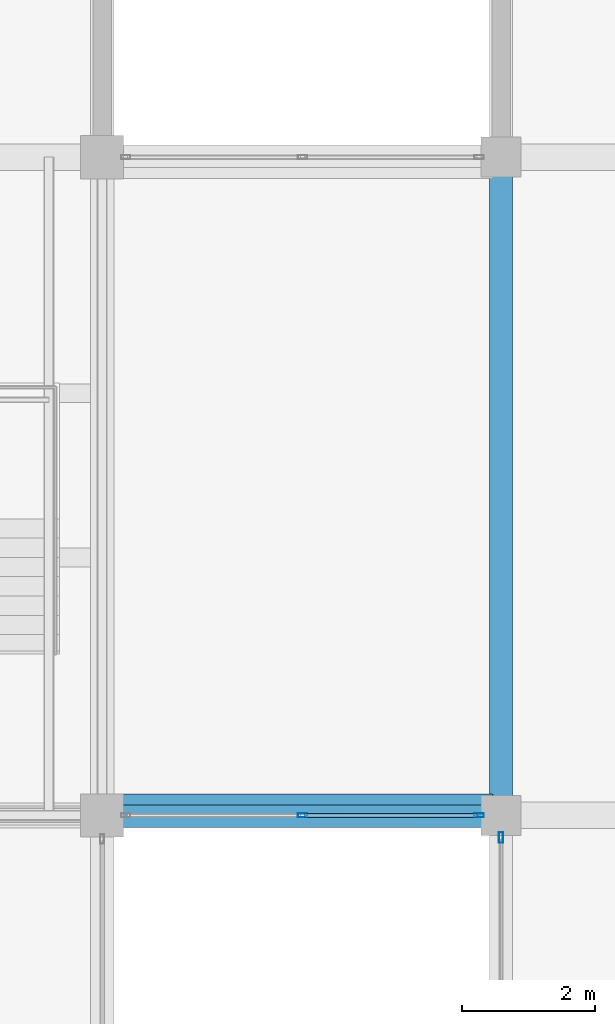
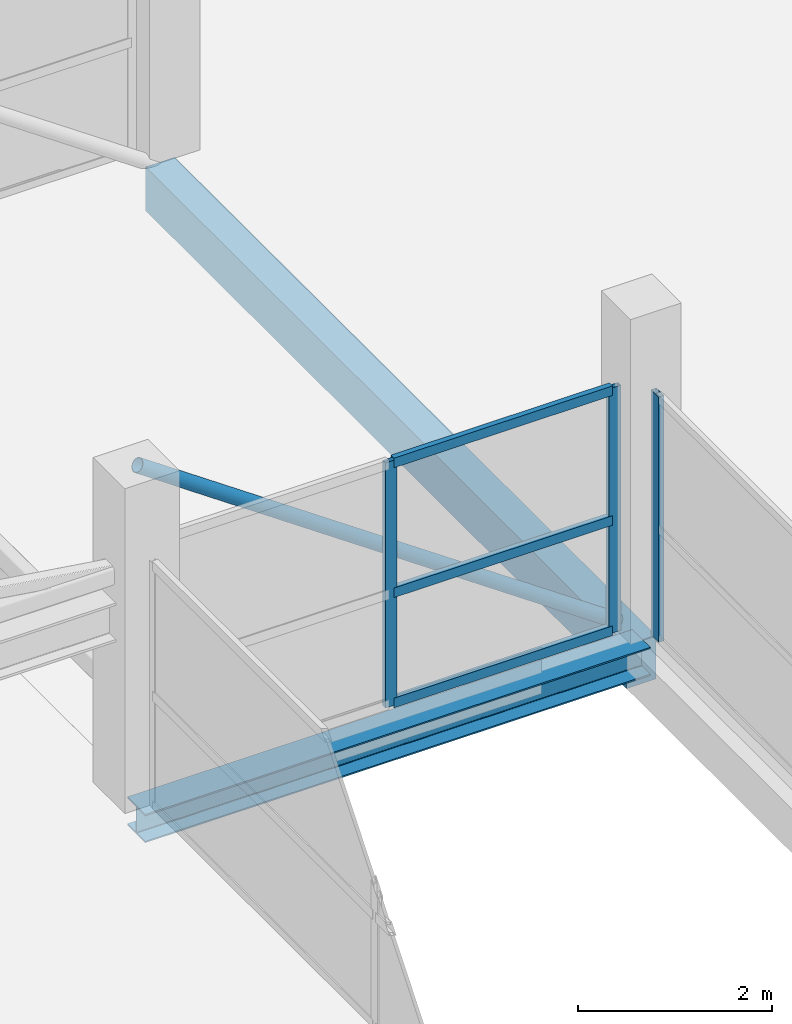
# One storey, part 40 of 70: 7 members, 2 beams, 2 elements without a shape of their own.
"""IFC4 building model written with IfcOpenShell, lengths in metres."""

from ifc_helpers import new_model, si_unit, direction, frame, origin, origin_2d, place, context, subcontext, project, spatial, rectangle, hollow_rectangle, hollow_circle, i_section, extrude, material, layer, layer_set, material_profile, profile_set, type_object, element, aggregate, save


model = new_model("IFC4")

# Units and contexts
model_context = context("Model", 3, precision=1e-05, world=origin(), true_north=direction((0.0, 1.0)))
body_context = subcontext(model_context, "Body", "Model", "MODEL_VIEW")
ifc_project = project(units=[si_unit("LENGTHUNIT", "METRE"), si_unit("AREAUNIT", "SQUARE_METRE"), si_unit("VOLUMEUNIT", "CUBIC_METRE"), si_unit("PLANEANGLEUNIT", "RADIAN"), si_unit("MASSUNIT", "GRAM", prefix="KILO")], contexts=[model_context])

# Site, building, storey
site_placement = place(None, origin())
site = spatial("IfcSite", under=ifc_project, at=site_placement, CompositionType="ELEMENT")
building_placement = place(site_placement, origin())
building = spatial("IfcBuilding", under=site, at=building_placement, Name="Sillaruma Civic Art Gallery", CompositionType="ELEMENT")
storey_placement = place(building_placement, frame((0.0, 0.0, 66.300048828125)))
storey = spatial("IfcBuildingStorey", under=building, at=storey_placement, Name="L13", CompositionType="ELEMENT", Elevation=66.300048828125)

# Beams
ifc_material_1 = material(Name="Structural Steel ASTM A992 Gr.50", Category="steel")
ifc_material_profile_1 = material_profile(ifc_material_1, i_section(OverallWidth=0.368896484375, OverallDepth=0.35595703125, WebThickness=0.01123046875, FlangeThickness=0.01806640625, FilletRadius=0.014892578125, at=origin_2d()), Name="W360x134")
ifc_profile_set_1 = profile_set([ifc_material_profile_1], Name="Structural Steel ASTM A992 Gr.50")
beam_type_1 = type_object("IfcBeamType", Name="BM-BRIDGE-W360x134", PredefinedType="SPANDREL", material=ifc_profile_set_1)
beam_1_placement = place(storey_placement, frame((92.0, 69.300048828125, -0.387939453125), z_axis=(1.0, 0.0, 0.0), x_axis=(0.0, 1.0, 0.0)))
element("IfcBeam", 1, at=beam_1_placement, inside=storey, type_object=beam_type_1, Name="Sky-Bridge Steel Edge Girder (BRG-N:L13:S)", PredefinedType="SPANDREL", context=body_context, shape_type="SweptSolid", body=[
    extrude(i_section(OverallWidth=0.368896484375, OverallDepth=0.35595703125, WebThickness=0.01123046875, FlangeThickness=0.01806640625, FilletRadius=0.014892578125, at=origin_2d()), origin(), (0.0, 0.0, 1.0), 6.0),
])
ifc_material_2 = material(Name="Concrete H35 (35 MPa)", Category="concrete")
ifc_material_profile_2 = material_profile(ifc_material_2, rectangle(XDim=0.35009765625, YDim=0.550048828125, at=origin_2d()), Name="RCB350x550")
ifc_profile_set_2 = profile_set([ifc_material_profile_2], Name="Concrete H35 (35 MPa)")
beam_type_2 = type_object("IfcBeamType", Name="BM-SPANDREL-RCB350x550", PredefinedType="SPANDREL", material=ifc_profile_set_2)
beam_2_placement = place(storey_placement, frame((98.0, 69.300048828125, -0.505126953125), z_axis=(0.0, 1.0, 0.0), x_axis=(-1.0, 0.0, 0.0)))
element("IfcBeam", 2, at=beam_2_placement, inside=storey, type_object=beam_type_2, Name="Beam BS-04 (L12:L:8-9)", PredefinedType="SPANDREL", context=body_context, shape_type="SweptSolid", body=[
    extrude(rectangle(XDim=0.35009765625, YDim=0.550048828125, at=origin_2d()), origin(), (0.0, 0.0, 1.0), 9.89990234375),
])

# Member
ifc_material_3 = material(Name="Structural Steel ASTM A500 Gr.C", Category="steel")
ifc_material_profile_3 = material_profile(ifc_material_3, hollow_circle(Radius=0.084228515625, WallThickness=0.007080078125, at=origin_2d()), Name="CHS168.3x7.1")
ifc_profile_set_3 = profile_set([ifc_material_profile_3], Name="Structural Steel ASTM A500 Gr.C")
member_type_1 = type_object("IfcMemberType", Name="MEM-BRIDGE-BRACE", PredefinedType="BRACE", material=ifc_profile_set_3)
member_1_placement = place(storey_placement, frame((97.85009765625, 69.5400390625, -0.080078125), z_axis=(-0.821944981473, 0.0, 0.569566894606), x_axis=(0.0, -1.0, 0.0)))
element("IfcMember", 3, at=member_1_placement, inside=storey, type_object=member_type_1, Name="Sky-Bridge Elevation Truss Web Brace (BRG-N:L13:S)", PredefinedType="BRACE", context=body_context, shape_type="SweptSolid", body=[
    extrude(hollow_circle(Radius=0.084228515625, WallThickness=0.007080078125, at=origin_2d()), origin(), (0.0, 0.0, 1.0), 6.93505859375),
])

# Curtain wall, members
ifc_material_4 = material(Name="Thermally Broken Extruded Aluminium 6063-T6", Category="aluminium")
ifc_layer_1 = layer(ifc_material_4, 0.139892578125, Name="Thermally Broken Extruded Aluminium 6063-T6")
ifc_layer_set_1 = layer_set([ifc_layer_1], Name="Thermally Broken Extruded Aluminium 6063-T6")
curtain_wall_type_1 = type_object("IfcCurtainWallType", Name="CW-UNI-108", PredefinedType="NOTDEFINED", material=ifc_layer_set_1)
curtain_wall_1_placement = place(storey_placement, origin())
curtain_wall_1 = element("IfcCurtainWall", 4, at=curtain_wall_1_placement, inside=storey, type_object=curtain_wall_type_1, Name="Unitised Curtain Wall CW-108 (CW-BRG-N-L13-S)", PredefinedType="NOTDEFINED")
ifc_material_profile_4 = material_profile(ifc_material_4, hollow_rectangle(XDim=0.06005859375, YDim=0.139892578125, WallThickness=0.00341796875, at=origin_2d()), Name="CWM60x140")
ifc_profile_set_4 = profile_set([ifc_material_profile_4], Name="Thermally Broken Extruded Aluminium 6063-T6")
member_type_2 = type_object("IfcMemberType", Name="MEM-MUL-CWM60x140", PredefinedType="MULLION", material=ifc_profile_set_4)
member_2_placement = place(storey_placement, frame((95.012451171875, 69.300048828125, 0.0), z_axis=(0.0, 0.0, 1.0), x_axis=(0.0, 1.0, 0.0)))
member_2 = element("IfcMember", 5, at=member_2_placement, type_object=member_type_2, Name="CW-108 mullion 2", PredefinedType="MULLION", context=body_context, shape_type="SweptSolid", body=[
    extrude(hollow_rectangle(XDim=0.06005859375, YDim=0.139892578125, WallThickness=0.00341796875, at=origin_2d()), origin(), (0.0, 0.0, 1.0), 3.079833984375),
])
member_3_placement = place(storey_placement, frame((97.669921875, 69.300048828125, 0.0), z_axis=(0.0, 0.0, 1.0), x_axis=(0.0, 1.0, 0.0)))
member_3 = element("IfcMember", 6, at=member_3_placement, type_object=member_type_2, Name="CW-108 mullion 3", PredefinedType="MULLION", context=body_context, shape_type="SweptSolid", body=[
    extrude(hollow_rectangle(XDim=0.06005859375, YDim=0.139892578125, WallThickness=0.00341796875, at=origin_2d()), origin(), (0.0, 0.0, 1.0), 3.079833984375),
])

# Curtain wall, member
ifc_layer_2 = layer(ifc_material_4, 0.159912109375, Name="Thermally Broken Extruded Aluminium 6063-T6")
ifc_layer_set_2 = layer_set([ifc_layer_2], Name="Thermally Broken Extruded Aluminium 6063-T6")
curtain_wall_type_2 = type_object("IfcCurtainWallType", Name="CW-UNI-97", PredefinedType="NOTDEFINED", material=ifc_layer_set_2)
curtain_wall_2_placement = place(storey_placement, origin())
curtain_wall_2 = element("IfcCurtainWall", 7, at=curtain_wall_2_placement, inside=storey, type_object=curtain_wall_type_2, Name="Unitised Curtain Wall CW-97 (CW-L13-EBW-5)", PredefinedType="NOTDEFINED")
ifc_material_profile_5 = material_profile(ifc_material_4, hollow_rectangle(XDim=0.06494140625, YDim=0.159912109375, WallThickness=0.00390625, at=origin_2d()), Name="CWM65x160")
ifc_profile_set_5 = profile_set([ifc_material_profile_5], Name="Thermally Broken Extruded Aluminium 6063-T6")
member_type_3 = type_object("IfcMemberType", Name="MEM-MUL-CWM65x160", PredefinedType="MULLION", material=ifc_profile_set_5)
member_4_placement = place(storey_placement, frame((98.0, 68.967529296875, 0.0), z_axis=(0.0, 0.0, 1.0), x_axis=(-1.0, 0.0, 0.0)))
member_4 = element("IfcMember", 8, at=member_4_placement, type_object=member_type_3, Name="CW-97 mullion 3", PredefinedType="MULLION", context=body_context, shape_type="SweptSolid", body=[
    extrude(hollow_rectangle(XDim=0.06494140625, YDim=0.159912109375, WallThickness=0.00390625, at=origin_2d()), origin(), (0.0, 0.0, 1.0), 3.079833984375),
])
aggregate(curtain_wall_2, [member_4])

# Member
ifc_material_profile_6 = material_profile(ifc_material_4, hollow_rectangle(XDim=0.06494140625, YDim=0.1201171875, WallThickness=0.00341796875, at=origin_2d()), Name="CWT65x120")
ifc_profile_set_6 = profile_set([ifc_material_profile_6], Name="Thermally Broken Extruded Aluminium 6063-T6")
member_type_4 = type_object("IfcMemberType", Name="MEM-TRN-CWT65x120", PredefinedType="USERDEFINED", material=ifc_profile_set_6)
member_5_placement = place(storey_placement, frame((95.04248046875, 69.300048828125, 0.032470703125), z_axis=(1.0, 0.0, 0.0), x_axis=(0.0, 1.0, 0.0)))
member_5 = element("IfcMember", 9, at=member_5_placement, type_object=member_type_4, Name="CW-108 transom 2.1", ObjectType="TRANSOM", PredefinedType="USERDEFINED", context=body_context, shape_type="SweptSolid", body=[
    extrude(hollow_rectangle(XDim=0.06494140625, YDim=0.1201171875, WallThickness=0.00341796875, at=origin_2d()), origin(), (0.0, 0.0, 1.0), 2.597412109375),
])

member_6_placement = place(storey_placement, frame((95.04248046875, 69.300048828125, 1.416748046875), z_axis=(1.0, 0.0, 0.0), x_axis=(0.0, 1.0, 0.0)))
member_6 = element("IfcMember", 10, at=member_6_placement, type_object=member_type_4, Name="CW-108 transom 2.2", ObjectType="TRANSOM", PredefinedType="USERDEFINED", context=body_context, shape_type="SweptSolid", body=[
    extrude(hollow_rectangle(XDim=0.06494140625, YDim=0.1201171875, WallThickness=0.00341796875, at=origin_2d()), origin(), (0.0, 0.0, 1.0), 2.597412109375),
])

member_7_placement = place(storey_placement, frame((95.04248046875, 69.300048828125, 3.04736328125), z_axis=(1.0, 0.0, 0.0), x_axis=(0.0, 1.0, 0.0)))
member_7 = element("IfcMember", 11, at=member_7_placement, type_object=member_type_4, Name="CW-108 transom 2.3", ObjectType="TRANSOM", PredefinedType="USERDEFINED", context=body_context, shape_type="SweptSolid", body=[
    extrude(hollow_rectangle(XDim=0.06494140625, YDim=0.1201171875, WallThickness=0.00341796875, at=origin_2d()), origin(), (0.0, 0.0, 1.0), 2.597412109375),
])

aggregate(curtain_wall_1, [member_2, member_3, member_5, member_6, member_7])

save(model, "model.ifc")
